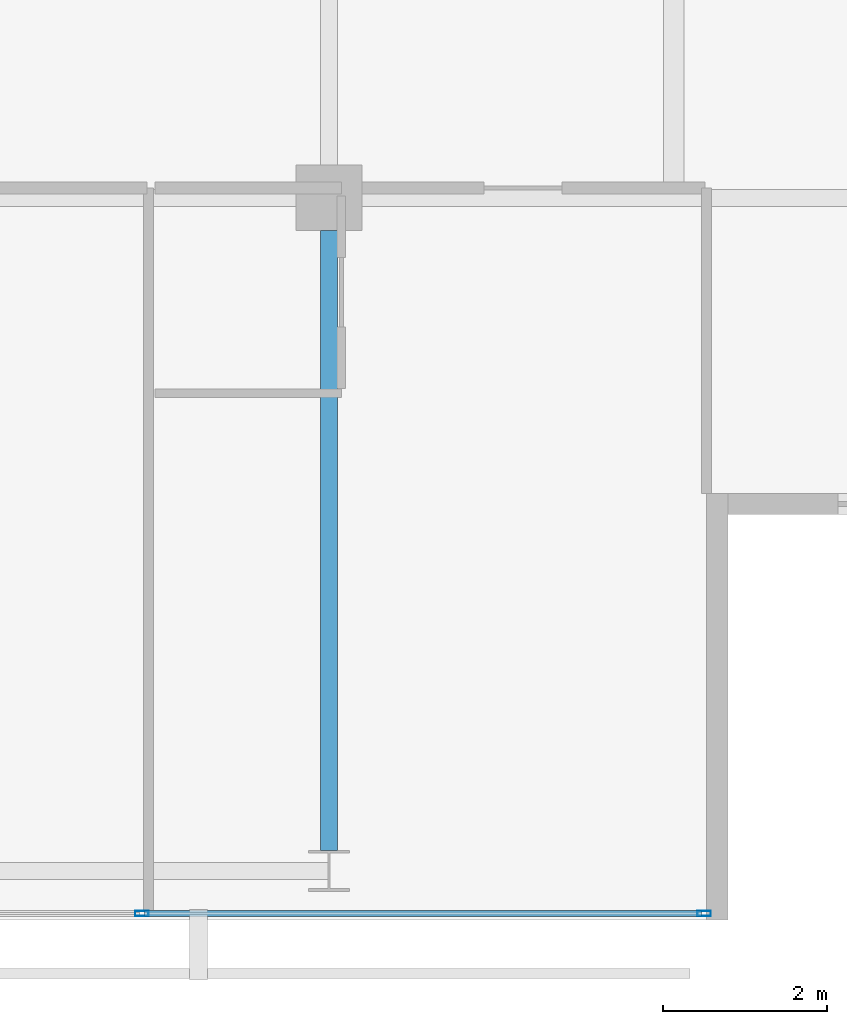
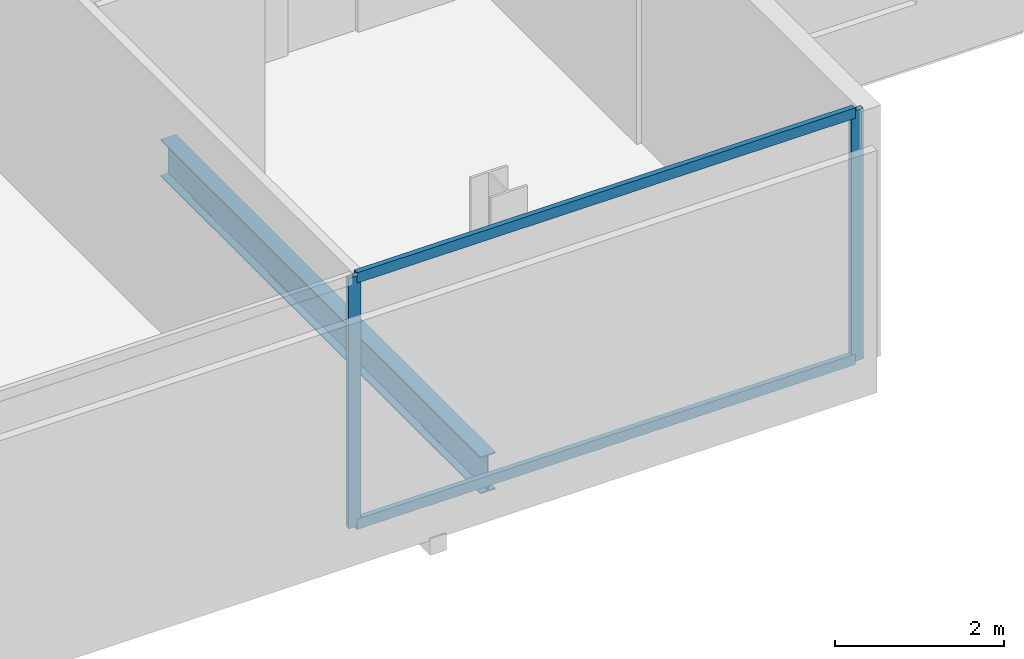
# One storey, part 10 of 25: 4 members, 1 beam, 1 element without a shape of its own.
"""IFC4 building model written with IfcOpenShell, lengths in metres."""

from ifc_helpers import new_model, si_unit, direction, frame, origin, origin_2d, place, context, subcontext, project, spatial, hollow_rectangle, i_section, extrude, material, layer, layer_set, material_profile, profile_set, type_object, element, aggregate, save


model = new_model("IFC4")

# Units and contexts
model_context = context("Model", 3, precision=1e-05, world=origin(), true_north=direction((0.0, 1.0)))
body_context = subcontext(model_context, "Body", "Model", "MODEL_VIEW")
ifc_project = project(units=[si_unit("LENGTHUNIT", "METRE"), si_unit("AREAUNIT", "SQUARE_METRE"), si_unit("VOLUMEUNIT", "CUBIC_METRE"), si_unit("PLANEANGLEUNIT", "RADIAN"), si_unit("MASSUNIT", "GRAM", prefix="KILO")], contexts=[model_context])

# Site, building, storey
site_placement = place(None, origin())
site = spatial("IfcSite", under=ifc_project, at=site_placement, CompositionType="ELEMENT")
building_placement = place(site_placement, origin())
building = spatial("IfcBuilding", under=site, at=building_placement, Name="Maruvema Waterfront Hotel and Observation Tower", CompositionType="ELEMENT")
storey_placement = place(building_placement, frame((0.0, 0.0, 270.199951171875)))
storey = spatial("IfcBuildingStorey", under=building, at=storey_placement, Name="L66", CompositionType="ELEMENT", Elevation=270.199951171875)

# Curtain wall, members
ifc_material_1 = material(Name="Anodised bronze aluminium and solar-control low-E IGU", Category="aluminium")
ifc_layer = layer(ifc_material_1, 0.159912109375, Name="Zone 3 Champagne Inner Thermal Curtain Wall System CW-04")
ifc_layer_set = layer_set([ifc_layer], Name="Anodised bronze aluminium and solar-control low-E IGU")
curtain_wall_type = type_object("IfcCurtainWallType", Name="Zone 3 Champagne Inner Thermal Curtain Wall System CW-04", PredefinedType="USERDEFINED", material=ifc_layer_set)
curtain_wall_placement = place(storey_placement, origin())
curtain_wall = element("IfcCurtainWall", 1, at=curtain_wall_placement, inside=storey, type_object=curtain_wall_type, Name="L66 Curtain Wall CW-L66-S", ObjectType="UNITISED CURTAIN WALL", PredefinedType="USERDEFINED")
ifc_material_2 = material(Name="Anodised architectural bronze aluminium", Category="aluminium")
ifc_material_profile_1 = material_profile(ifc_material_2, hollow_rectangle(XDim=0.070068359375, YDim=0.14990234375, WallThickness=0.00390625, at=origin_2d()), Name="ALU-T70x150")
ifc_profile_set_1 = profile_set([ifc_material_profile_1], Name="Anodised architectural bronze aluminium")
member_type_1 = type_object("IfcMemberType", Name="Curtain Wall Horizontal Transom ALU-T70x150", PredefinedType="USERDEFINED", material=ifc_profile_set_1)
member_1_placement = place(storey_placement, frame((48.14990234375, 9.280029296875, 0.030029296875), z_axis=(1.0, 0.0, 0.0), x_axis=(0.0, 1.0, 0.0)))
member_1 = element("IfcMember", 2, at=member_1_placement, type_object=member_type_1, Name="CW-04 transom 5.1", ObjectType="TRANSOM", PredefinedType="USERDEFINED", context=body_context, shape_type="SweptSolid", body=[
    extrude(hollow_rectangle(XDim=0.070068359375, YDim=0.14990234375, WallThickness=0.00390625, at=origin_2d()), origin(), (0.0, 0.0, 1.0), 6.7900390625),
])
member_2_placement = place(storey_placement, frame((48.14990234375, 9.280029296875, 3.580078125), z_axis=(1.0, 0.0, 0.0), x_axis=(0.0, 1.0, 0.0)))
member_2 = element("IfcMember", 3, at=member_2_placement, type_object=member_type_1, Name="CW-04 transom 5.2", ObjectType="TRANSOM", PredefinedType="USERDEFINED", context=body_context, shape_type="SweptSolid", body=[
    extrude(hollow_rectangle(XDim=0.070068359375, YDim=0.14990234375, WallThickness=0.00390625, at=origin_2d()), origin(), (0.0, 0.0, 1.0), 6.7900390625),
])
ifc_material_3 = material(Name="Anodised architectural bronze aluminium", Category="aluminium")
ifc_material_profile_2 = material_profile(ifc_material_3, hollow_rectangle(XDim=0.06494140625, YDim=0.1650390625, WallThickness=0.00390625, at=origin_2d()), Name="ALU-M65x165")
ifc_profile_set_2 = profile_set([ifc_material_profile_2], Name="Anodised architectural bronze aluminium")
member_type_2 = type_object("IfcMemberType", Name="Curtain Wall Primary Mullion ALU-M65x165", PredefinedType="MULLION", material=ifc_profile_set_2)
member_3_placement = place(storey_placement, frame((48.1201171875, 9.280029296875, 0.0), z_axis=(0.0, 0.0, 1.0), x_axis=(0.0, 1.0, 0.0)))
member_3 = element("IfcMember", 4, at=member_3_placement, type_object=member_type_2, Name="CW-04 mullion 5", PredefinedType="MULLION", context=body_context, shape_type="SweptSolid", body=[
    extrude(hollow_rectangle(XDim=0.06494140625, YDim=0.1650390625, WallThickness=0.00390625, at=origin_2d()), origin(), (0.0, 0.0, 1.0), 3.610107421875),
])
member_4_placement = place(storey_placement, frame((54.969970703125, 9.280029296875, 0.0), z_axis=(0.0, 0.0, 1.0), x_axis=(0.0, 1.0, 0.0)))
member_4 = element("IfcMember", 5, at=member_4_placement, type_object=member_type_2, Name="CW-04 mullion 6", PredefinedType="MULLION", context=body_context, shape_type="SweptSolid", body=[
    extrude(hollow_rectangle(XDim=0.06494140625, YDim=0.1650390625, WallThickness=0.00390625, at=origin_2d()), origin(), (0.0, 0.0, 1.0), 3.610107421875),
])
aggregate(curtain_wall, [member_3, member_4, member_1, member_2])

# Beam
ifc_material_4 = material(Name="Steel ASTM A572 Grade 50", Category="steel")
ifc_material_profile_3 = material_profile(ifc_material_4, i_section(OverallWidth=0.208984375, OverallDepth=0.532958984375, WebThickness=0.01025390625, FlangeThickness=0.015625, FilletRadius=0.014892578125, at=origin_2d()), Name="W530x92.0")
ifc_profile_set_3 = profile_set([ifc_material_profile_3], Name="Steel ASTM A572 Grade 50")
beam_type = type_object("IfcBeamType", Name="Primary Floor Girder W530x92.0", PredefinedType="BEAM", material=ifc_profile_set_3)
beam_placement = place(storey_placement, frame((50.39990234375, 10.050048828125, -0.50634765625), z_axis=(0.0, 1.0, 0.0), x_axis=(-1.0, 0.0, 0.0)))
element("IfcBeam", 6, at=beam_placement, inside=storey, type_object=beam_type, Name="L66 Floor Girder NS-12", PredefinedType="BEAM", context=body_context, shape_type="SweptSolid", body=[
    extrude(i_section(OverallWidth=0.208984375, OverallDepth=0.532958984375, WebThickness=0.01025390625, FlangeThickness=0.015625, FilletRadius=0.014892578125, at=origin_2d()), origin(), (0.0, 0.0, 1.0), 7.550048828125),
])

save(model, "model.ifc")
